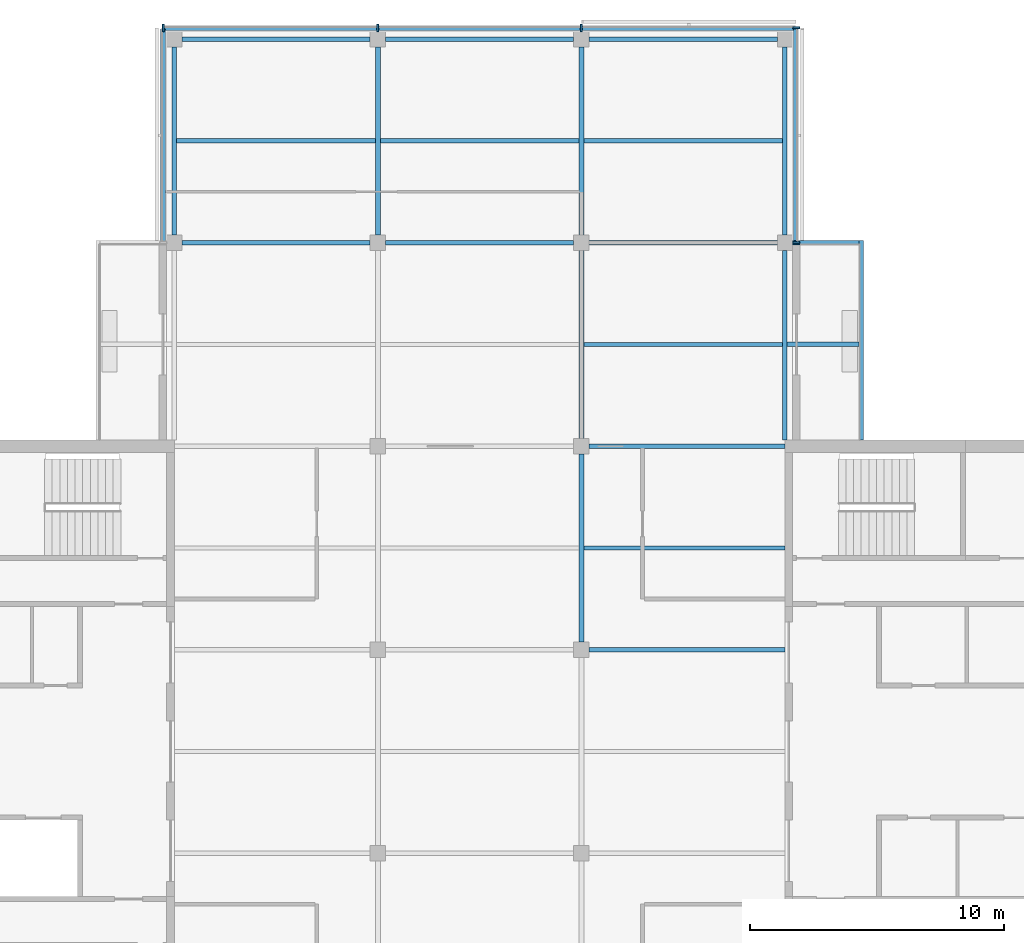
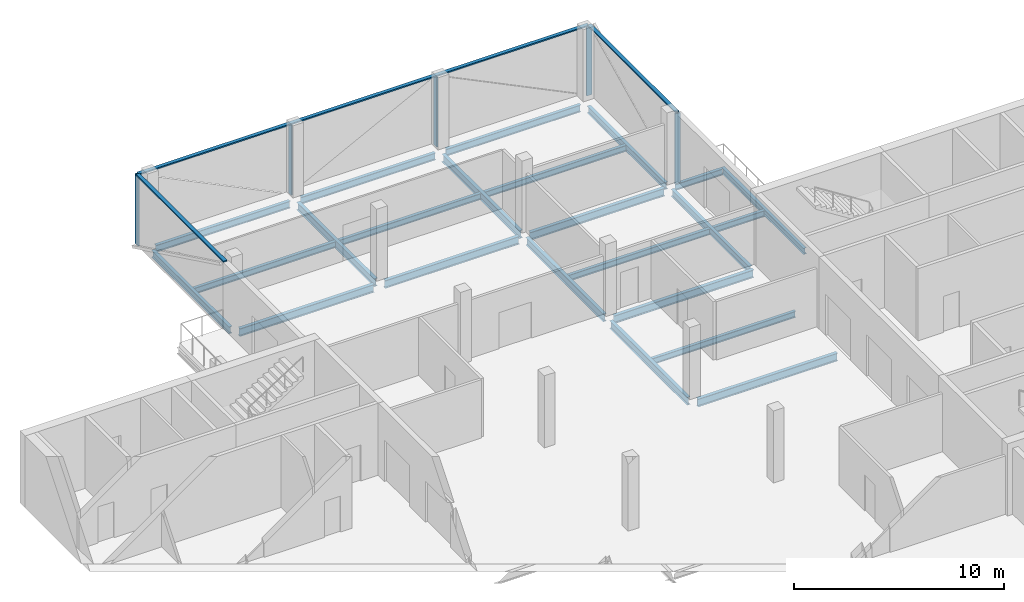
# One storey, part 3 of 11: 23 beams, 8 members, 3 elements without a shape of their own.
"""IFC4 building model written with IfcOpenShell, lengths in metres."""

from ifc_helpers import new_model, si_unit, direction, frame, origin, origin_2d, place, context, subcontext, project, spatial, rectangle, i_section, extrude, material, material_profile, profile_set, type_object, element, aggregate, save


model = new_model("IFC4")

# Units and contexts
model_context = context("Model", 3, precision=1e-05, world=origin(), true_north=direction((0.0, 1.0)))
body_context = subcontext(model_context, "Body", "Model", "MODEL_VIEW")
ifc_project = project(units=[si_unit("LENGTHUNIT", "METRE"), si_unit("AREAUNIT", "SQUARE_METRE"), si_unit("VOLUMEUNIT", "CUBIC_METRE"), si_unit("PLANEANGLEUNIT", "RADIAN"), si_unit("MASSUNIT", "GRAM", prefix="KILO")], contexts=[model_context])

# Site, building, storey
site_placement = place(None, origin())
site = spatial("IfcSite", under=ifc_project, at=site_placement, CompositionType="ELEMENT")
building_placement = place(site_placement, origin())
building = spatial("IfcBuilding", under=site, at=building_placement, Name="Crosswind Convention Tower", CompositionType="ELEMENT")
storey_placement = place(building_placement, frame((0.0, 0.0, 344.89990234375)))
storey = spatial("IfcBuildingStorey", under=building, at=storey_placement, Name="L75", CompositionType="ELEMENT", Elevation=344.89990234375)

# Beams
ifc_material_1 = material(Name="Steel S355", Category="steel")
ifc_material_profile_1 = material_profile(ifc_material_1, i_section(OverallWidth=0.172119140625, OverallDepth=0.358642578125, WebThickness=0.008056640625, FlangeThickness=0.012939453125, FilletRadius=0.01025390625, at=origin_2d()), Name="UB 356x171x57")
ifc_profile_set_1 = profile_set([ifc_material_profile_1], Name="Steel S355")
beam_type_1 = type_object("IfcBeamType", Name="Balcony cantilever UB 356x171x57", PredefinedType="BEAM", material=ifc_profile_set_1)
beam_1_placement = place(storey_placement, frame((137.0888671875, 116.0, -0.479248046875), z_axis=(1.0, 0.0, 0.0), x_axis=(0.0, 1.0, 0.0)))
element("IfcBeam", 1, at=beam_1_placement, inside=storey, type_object=beam_type_1, Name="B34 L75 balcony cantilever NE 1", PredefinedType="BEAM", context=body_context, shape_type="SweptSolid", body=[
    extrude(i_section(OverallWidth=0.172119140625, OverallDepth=0.358642578125, WebThickness=0.008056640625, FlangeThickness=0.012939453125, FilletRadius=0.01025390625, at=origin_2d()), origin(), (0.0, 0.0, 1.0), 2.825439453125),
])
beam_2_placement = place(storey_placement, frame((137.300048828125, 120.0, -0.479248046875), z_axis=(1.0, 0.0, 0.0), x_axis=(0.0, 1.0, 0.0)))
element("IfcBeam", 2, at=beam_2_placement, inside=storey, type_object=beam_type_1, Name="B34 L75 balcony cantilever NE 2", PredefinedType="BEAM", context=body_context, shape_type="SweptSolid", body=[
    extrude(i_section(OverallWidth=0.172119140625, OverallDepth=0.358642578125, WebThickness=0.008056640625, FlangeThickness=0.012939453125, FilletRadius=0.01025390625, at=origin_2d()), origin(), (0.0, 0.0, 1.0), 2.6142578125),
])
ifc_material_profile_2 = material_profile(ifc_material_1, i_section(OverallWidth=0.17138671875, OverallDepth=0.355712890625, WebThickness=0.00732421875, FlangeThickness=0.011474609375, FilletRadius=0.01025390625, at=origin_2d()), Name="UB 356x171x51")
ifc_profile_set_2 = profile_set([ifc_material_profile_2], Name="Steel S355")
beam_type_2 = type_object("IfcBeamType", Name="Balcony edge beam UB 356x171x51", PredefinedType="BEAM", material=ifc_profile_set_2)
beam_3_placement = place(storey_placement, frame((140.0, 112.25, -0.477783203125), z_axis=(0.0, 1.0, 0.0), x_axis=(-1.0, 0.0, 0.0)))
element("IfcBeam", 3, at=beam_3_placement, inside=storey, type_object=beam_type_2, Name="B38 L75 balcony edge beam NE 3", PredefinedType="BEAM", context=body_context, shape_type="SweptSolid", body=[
    extrude(i_section(OverallWidth=0.17138671875, OverallDepth=0.355712890625, WebThickness=0.00732421875, FlangeThickness=0.011474609375, FilletRadius=0.01025390625, at=origin_2d()), origin(), (0.0, 0.0, 1.0), 7.8359375),
])
ifc_material_profile_3 = material_profile(ifc_material_1, i_section(OverallWidth=0.177734375, OverallDepth=0.406494140625, WebThickness=0.0078125, FlangeThickness=0.0126953125, FilletRadius=0.01025390625, at=origin_2d()), Name="UB 406x178x60")
ifc_profile_set_3 = profile_set([ifc_material_profile_3], Name="Steel S355")
beam_type_3 = type_object("IfcBeamType", Name="Edge beam UB 406x178x60", PredefinedType="SPANDREL", material=ifc_profile_set_3)
for number, where, z_axis, x_axis, name in (
    (4, (113.0, 120.300048828125, -0.503173828125), (0.0, 1.0, 0.0), (-1.0, 0.0, 0.0), "B15 L75 edge beam 4"),
    (5, (113.300048828125, 128.0, -0.503173828125), (1.0, 0.0, 0.0), (0.0, 1.0, 0.0), "B15 L75 edge beam 6"),
    (6, (121.300048828125, 128.0, -0.503173828125), (1.0, 0.0, 0.0), (0.0, 1.0, 0.0), "B15 L75 edge beam 8"),
    (7, (129.300048828125, 128.0, -0.503173828125), (1.0, 0.0, 0.0), (0.0, 1.0, 0.0), "B15 L75 edge beam 10"),
):
    element("IfcBeam", number, at=place(storey_placement, frame(where, z_axis=z_axis, x_axis=x_axis)), inside=storey, type_object=beam_type_3, Name=name, PredefinedType="SPANDREL", context=body_context, shape_type="SweptSolid", body=[
        extrude(i_section(OverallWidth=0.177734375, OverallDepth=0.406494140625, WebThickness=0.0078125, FlangeThickness=0.0126953125, FilletRadius=0.01025390625, at=origin_2d()), origin(), (0.0, 0.0, 1.0), 7.39990234375),
    ])
beam_4_placement = place(storey_placement, frame((137.0, 112.25, -0.503173828125), z_axis=(0.0, 1.0, 0.0), x_axis=(-1.0, 0.0, 0.0)))
element("IfcBeam", 8, at=beam_4_placement, inside=storey, type_object=beam_type_3, Name="B15 L75 edge beam 13", PredefinedType="SPANDREL", context=body_context, shape_type="SweptSolid", body=[
    extrude(i_section(OverallWidth=0.177734375, OverallDepth=0.406494140625, WebThickness=0.0078125, FlangeThickness=0.0126953125, FilletRadius=0.01025390625, at=origin_2d()), origin(), (0.0, 0.0, 1.0), 7.449951171875),
])
beam_5_placement = place(storey_placement, frame((137.0, 120.300048828125, -0.503173828125), z_axis=(0.0, 1.0, 0.0), x_axis=(-1.0, 0.0, 0.0)))
element("IfcBeam", 9, at=beam_5_placement, inside=storey, type_object=beam_type_3, Name="B15 L75 edge beam 14", PredefinedType="SPANDREL", context=body_context, shape_type="SweptSolid", body=[
    extrude(i_section(OverallWidth=0.177734375, OverallDepth=0.406494140625, WebThickness=0.0078125, FlangeThickness=0.0126953125, FilletRadius=0.01025390625, at=origin_2d()), origin(), (0.0, 0.0, 1.0), 7.39990234375),
])
ifc_material_profile_4 = material_profile(ifc_material_1, i_section(OverallWidth=0.18994140625, OverallDepth=0.45361328125, WebThickness=0.008544921875, FlangeThickness=0.0126953125, FilletRadius=0.01025390625, at=origin_2d()), Name="UB 457x191x67")
ifc_profile_set_4 = profile_set([ifc_material_profile_4], Name="Steel S355")
beam_type_4 = type_object("IfcBeamType", Name="Girder UB 457x191x67", PredefinedType="BEAM", material=ifc_profile_set_4)
for number, where, z_axis, x_axis, name in (
    (10, (113.300048828125, 120.0, -0.526611328125), (1.0, 0.0, 0.0), (0.0, 1.0, 0.0), "B1 L75 girder 2"),
    (11, (121.0, 120.300048828125, -0.526611328125), (0.0, 1.0, 0.0), (-1.0, 0.0, 0.0), "B1 L75 girder 9"),
    (12, (121.300048828125, 120.0, -0.526611328125), (1.0, 0.0, 0.0), (0.0, 1.0, 0.0), "B1 L75 girder 15"),
    (13, (129.0, 104.300048828125, -0.526611328125), (0.0, 1.0, 0.0), (-1.0, 0.0, 0.0), "B1 L75 girder 20"),
    (14, (129.0, 112.300048828125, -0.526611328125), (0.0, 1.0, 0.0), (-1.0, 0.0, 0.0), "B1 L75 girder 21"),
    (15, (129.0, 120.300048828125, -0.526611328125), (0.0, 1.0, 0.0), (-1.0, 0.0, 0.0), "B1 L75 girder 22"),
    (16, (129.300048828125, 120.0, -0.526611328125), (1.0, 0.0, 0.0), (0.0, 1.0, 0.0), "B1 L75 girder 24"),
):
    element("IfcBeam", number, at=place(storey_placement, frame(where, z_axis=z_axis, x_axis=x_axis)), inside=storey, type_object=beam_type_4, Name=name, PredefinedType="BEAM", context=body_context, shape_type="SweptSolid", body=[
        extrude(i_section(OverallWidth=0.18994140625, OverallDepth=0.45361328125, WebThickness=0.008544921875, FlangeThickness=0.0126953125, FilletRadius=0.01025390625, at=origin_2d()), origin(), (0.0, 0.0, 1.0), 7.39990234375),
    ])
ifc_material_profile_5 = material_profile(ifc_material_1, i_section(OverallWidth=0.1904296875, OverallDepth=0.457275390625, WebThickness=0.009033203125, FlangeThickness=0.014404296875, FilletRadius=0.01025390625, at=origin_2d()), Name="UB 457x191x75")
ifc_profile_set_5 = profile_set([ifc_material_profile_5], Name="Steel S355")
beam_type_5 = type_object("IfcBeamType", Name="Girder at core wall UB 457x191x75", PredefinedType="BEAM", material=ifc_profile_set_5)
for number, where, z_axis, x_axis, name in (
    (17, (129.300048828125, 104.0, -0.528564453125), (1.0, 0.0, 0.0), (0.0, 1.0, 0.0), "B22 L75 girder at core wall 7"),
    (18, (129.300048828125, 112.0, -0.528564453125), (1.0, 0.0, 0.0), (0.0, 1.0, 0.0), "B22 L75 girder at core wall 8"),
):
    element("IfcBeam", number, at=place(storey_placement, frame(where, z_axis=z_axis, x_axis=x_axis)), inside=storey, type_object=beam_type_5, Name=name, PredefinedType="BEAM", context=body_context, shape_type="SweptSolid", body=[
        extrude(i_section(OverallWidth=0.1904296875, OverallDepth=0.457275390625, WebThickness=0.009033203125, FlangeThickness=0.014404296875, FilletRadius=0.01025390625, at=origin_2d()), origin(), (0.0, 0.0, 1.0), 7.699951171875),
    ])

# Curtain wall, members
ifc_material_2 = material(Name="Aluminium unitised curtain wall", Category="aluminium")
curtain_wall_type = type_object("IfcCurtainWallType", Name="SKY LOBBY AND LOUNGE WALL 280", PredefinedType="USERDEFINED", material=ifc_material_2)
curtain_wall_1_placement = place(storey_placement, origin())
curtain_wall_1 = element("IfcCurtainWall", 19, at=curtain_wall_1_placement, inside=storey, type_object=curtain_wall_type, Name="CW4 L75 N-E 1", ObjectType="UNITISED", PredefinedType="USERDEFINED")
ifc_material_3 = material(Name="Aluminium mullion", Category="aluminium")
ifc_material_profile_6 = material_profile(ifc_material_3, rectangle(XDim=0.280029296875, YDim=0.074951171875, at=origin_2d()), Name="AL 280X75")
ifc_profile_set_6 = profile_set([ifc_material_profile_6], Name="Aluminium mullion")
member_type_1 = type_object("IfcMemberType", Name="MULLION 75X280", PredefinedType="MULLION", material=ifc_profile_set_6)
member_1_placement = place(storey_placement, frame((137.43994140625, 120.0, -0.2998046875), z_axis=(0.0, 0.0, 1.0), x_axis=(1.0, 0.0, 0.0)))
member_1 = element("IfcMember", 20, at=member_1_placement, type_object=member_type_1, Name="CW4 mullion 1", PredefinedType="MULLION", context=body_context, shape_type="SweptSolid", body=[
    extrude(rectangle(XDim=0.280029296875, YDim=0.074951171875, at=origin_2d()), origin(), (0.0, 0.0, 1.0), 4.074951171875),
])
member_2_placement = place(storey_placement, frame((137.43994140625, 128.43994140625, -0.2998046875), z_axis=(0.0, 0.0, 1.0), x_axis=(1.0, 0.0, 0.0)))
member_2 = element("IfcMember", 21, at=member_2_placement, type_object=member_type_1, Name="CW4 mullion 2", PredefinedType="MULLION", context=body_context, shape_type="SweptSolid", body=[
    extrude(rectangle(XDim=0.280029296875, YDim=0.074951171875, at=origin_2d()), origin(), (0.0, 0.0, 1.0), 4.074951171875),
])

curtain_wall_2_placement = place(storey_placement, origin())
curtain_wall_2 = element("IfcCurtainWall", 22, at=curtain_wall_2_placement, inside=storey, type_object=curtain_wall_type, Name="CW4 L75 N-TIP 1", ObjectType="UNITISED", PredefinedType="USERDEFINED")
member_3_placement = place(storey_placement, frame((129.0, 128.43994140625, -0.2998046875), z_axis=(0.0, 0.0, 1.0), x_axis=(0.0, 1.0, 0.0)))
member_3 = element("IfcMember", 23, at=member_3_placement, type_object=member_type_1, Name="CW4 mullion 2", PredefinedType="MULLION", context=body_context, shape_type="SweptSolid", body=[
    extrude(rectangle(XDim=0.280029296875, YDim=0.074951171875, at=origin_2d()), origin(), (0.0, 0.0, 1.0), 4.074951171875),
])
member_4_placement = place(storey_placement, frame((121.0, 128.43994140625, -0.2998046875), z_axis=(0.0, 0.0, 1.0), x_axis=(0.0, 1.0, 0.0)))
member_4 = element("IfcMember", 24, at=member_4_placement, type_object=member_type_1, Name="CW4 mullion 3", PredefinedType="MULLION", context=body_context, shape_type="SweptSolid", body=[
    extrude(rectangle(XDim=0.280029296875, YDim=0.074951171875, at=origin_2d()), origin(), (0.0, 0.0, 1.0), 4.074951171875),
])
member_5_placement = place(storey_placement, frame((112.56005859375, 128.43994140625, -0.2998046875), z_axis=(0.0, 0.0, 1.0), x_axis=(0.0, 1.0, 0.0)))
member_5 = element("IfcMember", 25, at=member_5_placement, type_object=member_type_1, Name="CW4 mullion 4", PredefinedType="MULLION", context=body_context, shape_type="SweptSolid", body=[
    extrude(rectangle(XDim=0.280029296875, YDim=0.074951171875, at=origin_2d()), origin(), (0.0, 0.0, 1.0), 4.074951171875),
])

# Beams
ifc_material_profile_7 = material_profile(ifc_material_1, i_section(OverallWidth=0.17138671875, OverallDepth=0.355712890625, WebThickness=0.00732421875, FlangeThickness=0.011474609375, FilletRadius=0.01025390625, at=origin_2d()), Name="UB 356x171x51")
ifc_profile_set_7 = profile_set([ifc_material_profile_7], Name="Steel S355")
beam_type_6 = type_object("IfcBeamType", Name="Secondary beam UB 356x171x51", PredefinedType="JOIST", material=ifc_profile_set_7)
beam_6_placement = place(storey_placement, frame((113.0888671875, 124.0, -0.477783203125), z_axis=(1.0, 0.0, 0.0), x_axis=(0.0, 1.0, 0.0)))
element("IfcBeam", 26, at=beam_6_placement, inside=storey, type_object=beam_type_6, Name="B8 L75 secondary beam 7", PredefinedType="JOIST", context=body_context, shape_type="SweptSolid", body=[
    extrude(i_section(OverallWidth=0.17138671875, OverallDepth=0.355712890625, WebThickness=0.00732421875, FlangeThickness=0.011474609375, FilletRadius=0.01025390625, at=origin_2d()), origin(), (0.0, 0.0, 1.0), 7.816162109375),
])
beam_7_placement = place(storey_placement, frame((121.094970703125, 124.0, -0.477783203125), z_axis=(1.0, 0.0, 0.0), x_axis=(0.0, 1.0, 0.0)))
element("IfcBeam", 27, at=beam_7_placement, inside=storey, type_object=beam_type_6, Name="B8 L75 secondary beam 14", PredefinedType="JOIST", context=body_context, shape_type="SweptSolid", body=[
    extrude(i_section(OverallWidth=0.17138671875, OverallDepth=0.355712890625, WebThickness=0.00732421875, FlangeThickness=0.011474609375, FilletRadius=0.01025390625, at=origin_2d()), origin(), (0.0, 0.0, 1.0), 7.81005859375),
])
beam_8_placement = place(storey_placement, frame((129.094970703125, 108.0, -0.477783203125), z_axis=(1.0, 0.0, 0.0), x_axis=(0.0, 1.0, 0.0)))
element("IfcBeam", 28, at=beam_8_placement, inside=storey, type_object=beam_type_6, Name="B8 L75 secondary beam 19", PredefinedType="JOIST", context=body_context, shape_type="SweptSolid", body=[
    extrude(i_section(OverallWidth=0.17138671875, OverallDepth=0.355712890625, WebThickness=0.00732421875, FlangeThickness=0.011474609375, FilletRadius=0.01025390625, at=origin_2d()), origin(), (0.0, 0.0, 1.0), 7.905029296875),
])
for number, where, z_axis, x_axis, name in (
    (29, (129.094970703125, 116.0, -0.477783203125), (1.0, 0.0, 0.0), (0.0, 1.0, 0.0), "B8 L75 secondary beam 20"),
    (30, (129.094970703125, 124.0, -0.477783203125), (1.0, 0.0, 0.0), (0.0, 1.0, 0.0), "B8 L75 secondary beam 21"),
):
    element("IfcBeam", number, at=place(storey_placement, frame(where, z_axis=z_axis, x_axis=x_axis)), inside=storey, type_object=beam_type_6, Name=name, PredefinedType="JOIST", context=body_context, shape_type="SweptSolid", body=[
        extrude(i_section(OverallWidth=0.17138671875, OverallDepth=0.355712890625, WebThickness=0.00732421875, FlangeThickness=0.011474609375, FilletRadius=0.01025390625, at=origin_2d()), origin(), (0.0, 0.0, 1.0), 7.816162109375),
    ])

# Member
ifc_material_4 = material(Name="Aluminium transom", Category="aluminium")
ifc_material_profile_8 = material_profile(ifc_material_4, rectangle(XDim=0.199951171875, YDim=0.074951171875, at=origin_2d()), Name="AL 200X75")
ifc_profile_set_8 = profile_set([ifc_material_profile_8], Name="Aluminium transom")
member_type_2 = type_object("IfcMemberType", Name="TRANSOM 75X200", PredefinedType="USERDEFINED", material=ifc_profile_set_8)
member_6_placement = place(storey_placement, frame((137.43994140625, 120.03759765625, 3.8125), z_axis=(0.0, 1.0, 0.0), x_axis=(-1.0, 0.0, 0.0)))
member_6 = element("IfcMember", 31, at=member_6_placement, type_object=member_type_2, Name="CW4 transom", ObjectType="TRANSOM", PredefinedType="USERDEFINED", context=body_context, shape_type="SweptSolid", body=[
    extrude(rectangle(XDim=0.199951171875, YDim=0.074951171875, at=origin_2d()), origin(), (0.0, 0.0, 1.0), 8.364990234375),
])

aggregate(curtain_wall_1, [member_1, member_2, member_6])

member_7_placement = place(storey_placement, frame((137.402587890625, 128.43994140625, 3.8125), z_axis=(-1.0, 0.0, 0.0), x_axis=(0.0, -1.0, 0.0)))
member_7 = element("IfcMember", 32, at=member_7_placement, type_object=member_type_2, Name="CW4 transom", ObjectType="TRANSOM", PredefinedType="USERDEFINED", context=body_context, shape_type="SweptSolid", body=[
    extrude(rectangle(XDim=0.199951171875, YDim=0.074951171875, at=origin_2d()), origin(), (0.0, 0.0, 1.0), 24.80517578125),
])

aggregate(curtain_wall_2, [member_3, member_4, member_5, member_7])

# Curtain wall, member
curtain_wall_3_placement = place(storey_placement, origin())
curtain_wall_3 = element("IfcCurtainWall", 33, at=curtain_wall_3_placement, inside=storey, type_object=curtain_wall_type, Name="CW4 L75 N-W 1", ObjectType="UNITISED", PredefinedType="USERDEFINED")
member_8_placement = place(storey_placement, frame((112.56005859375, 128.402587890625, 3.8125), z_axis=(0.0, -1.0, 0.0), x_axis=(1.0, 0.0, 0.0)))
member_8 = element("IfcMember", 34, at=member_8_placement, type_object=member_type_2, Name="CW4 transom", ObjectType="TRANSOM", PredefinedType="USERDEFINED", context=body_context, shape_type="SweptSolid", body=[
    extrude(rectangle(XDim=0.199951171875, YDim=0.074951171875, at=origin_2d()), origin(), (0.0, 0.0, 1.0), 8.364990234375),
])
aggregate(curtain_wall_3, [member_8])

save(model, "model.ifc")
